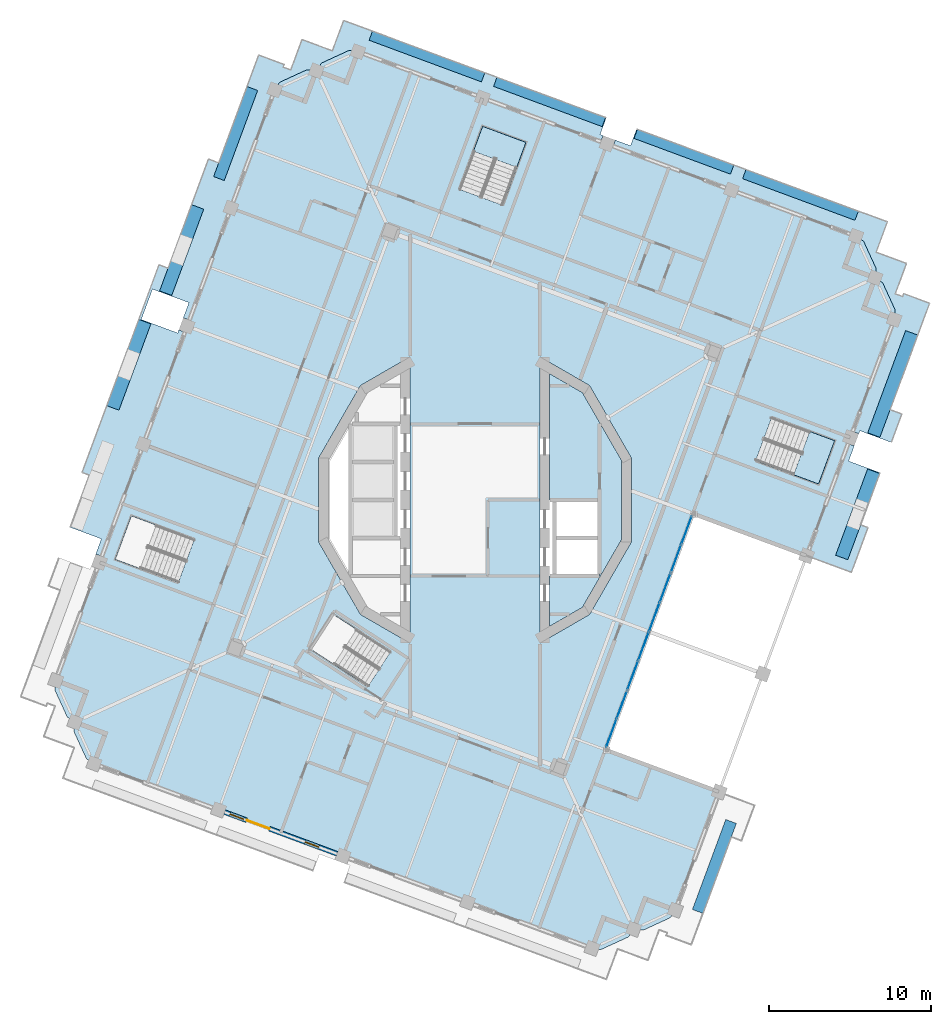
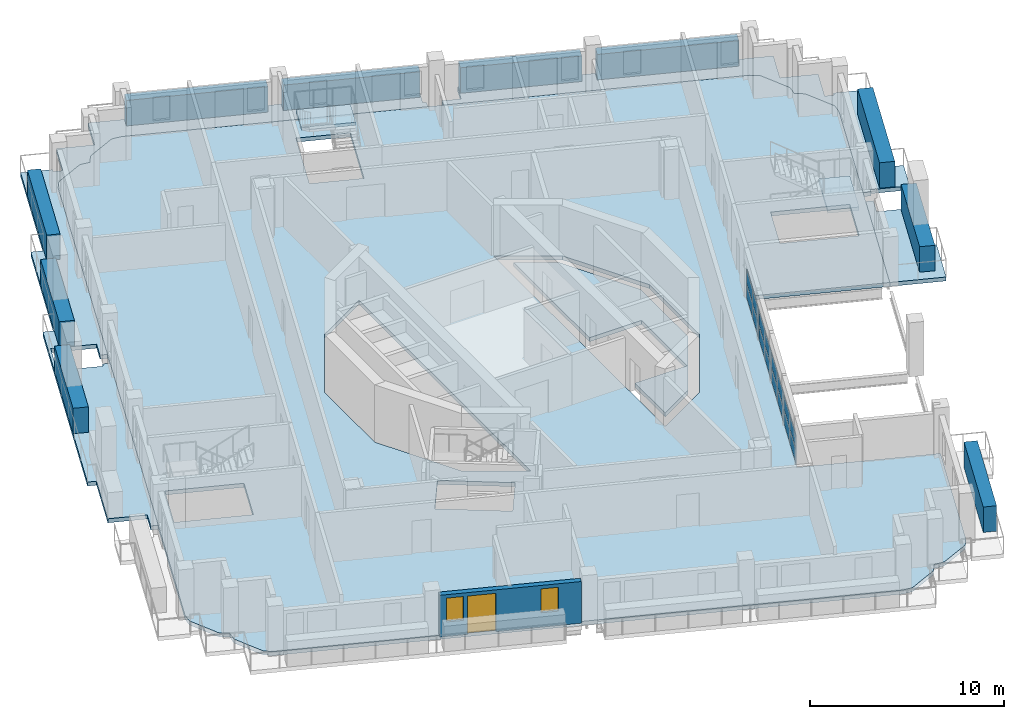
# One storey, part 4 of 19: 26 plates, 7 slabs, 2 windows, 1 door, 1 wall, 3 openings, 3 elements without a shape of their own.
"""IFC4 building model written with IfcOpenShell, lengths in metres."""

import ifcopenshell
import ifcopenshell.guid

model = None  # the IFC model being written
_history = None  # IfcOwnerHistory: only IFC2X3 demands one
_inside = {}  # id of a spatial element -> (the spatial element, [elements in it])
_under = {}  # id of a project, library or spatial element -> (it, [spatial elements below it])
_declared = {}  # id of a project -> (the project, [libraries it declares])
_typed = {}  # id of a type object -> (the type object, [elements of that type])
_made_of = {}  # id of a material, layer set ... -> (it, [elements and type objects made of it])


def new_model(schema):
    """Start an empty IFC model of exactly this schema.

    Asked for "IFC4X3", IfcOpenShell would pick the latest addendum, in which some entities
    have other attributes; the version numbers below select the first issue.
    IFC2X3 requires an IfcOwnerHistory on every rooted entity: one is made here for all.
    """
    global model, _history
    if schema == "IFC4X3":
        model = ifcopenshell.file(schema_version=(4, 3, 0, 0))
    else:
        model = ifcopenshell.file(schema=schema)
    _inside.clear()
    _under.clear()
    _declared.clear()
    _typed.clear()
    _made_of.clear()
    _history = None
    if model.schema == "IFC2X3":
        org = make("IfcOrganization", Name="unknown")
        user = make(
            "IfcPersonAndOrganization",
            ThePerson=make("IfcPerson", FamilyName="unknown"),
            TheOrganization=org,
        )
        app = make(
            "IfcApplication",
            ApplicationDeveloper=org,
            Version="unknown",
            ApplicationFullName="unknown",
            ApplicationIdentifier="unknown",
        )
        _history = make(
            "IfcOwnerHistory",
            OwningUser=user,
            OwningApplication=app,
            ChangeAction="ADDED",
            CreationDate=0,
        )
    return model


def make(cls, **values):
    """One entity of the class cls with the attributes given. An attribute that is None is left unset."""
    return model.create_entity(
        cls, **{name: value for name, value in values.items() if value is not None}
    )


def rooted(cls, **values):
    """An entity with a GlobalId (a new one), such as an element, a storey or a relation."""
    return make(cls, GlobalId=ifcopenshell.guid.new(), OwnerHistory=_history, **values)


def si_unit(unit_type, name, prefix=None):
    """IfcSIUnit, for example si_unit("LENGTHUNIT", "METRE", prefix="MILLI")."""
    return make("IfcSIUnit", UnitType=unit_type, Prefix=prefix, Name=name)


def assignment(units):
    """IfcUnitAssignment: the units of a project."""
    return None if units is None else make("IfcUnitAssignment", Units=units)


def point(xyz):
    """IfcCartesianPoint."""
    return None if xyz is None else make("IfcCartesianPoint", Coordinates=xyz)


def direction(xyz):
    """IfcDirection."""
    return None if xyz is None else make("IfcDirection", DirectionRatios=xyz)


def frame(location, z_axis=None, x_axis=None):
    """IfcAxis2Placement3D, a coordinate frame: its origin and axes. An axis left out is left unset."""
    return make(
        "IfcAxis2Placement3D",
        Location=point(location),
        Axis=direction(z_axis),
        RefDirection=direction(x_axis),
    )


def frame_2d(location, x_axis=None):
    """IfcAxis2Placement2D, a coordinate frame in the plane: its origin and x axis."""
    return make(
        "IfcAxis2Placement2D", Location=point(location), RefDirection=direction(x_axis)
    )


def origin():
    """The frame at (0, 0, 0) with its axes left unset."""
    return frame((0.0, 0.0, 0.0))


def origin_2d():
    """The frame at (0, 0) in the plane with its x axis left unset."""
    return frame_2d((0.0, 0.0))


def place(relative_to, where):
    """IfcLocalPlacement: puts the frame where relative to a parent placement (None: the world)."""
    return make(
        "IfcLocalPlacement", PlacementRelTo=relative_to, RelativePlacement=where
    )


def context(
    kind, dimensions, precision=None, world=None, true_north=None, identifier=None
):
    """IfcGeometricRepresentationContext, for example the 3D "Model" context."""
    return make(
        "IfcGeometricRepresentationContext",
        ContextIdentifier=identifier,
        ContextType=kind,
        CoordinateSpaceDimension=dimensions,
        Precision=precision,
        WorldCoordinateSystem=world,
        TrueNorth=true_north,
    )


def subcontext(parent, identifier, kind, view, scale=None):
    """IfcGeometricRepresentationSubContext, for example "Body" below "Model"."""
    return make(
        "IfcGeometricRepresentationSubContext",
        ContextIdentifier=identifier,
        ContextType=kind,
        ParentContext=parent,
        TargetScale=scale,
        TargetView=view,
    )


def project(units=None, contexts=None):
    """IfcProject with its units and contexts."""
    return rooted(
        "IfcProject",
        Name="project",
        RepresentationContexts=contexts,
        UnitsInContext=assignment(units),
    )


def spatial(cls, under=None, at=None, **own):
    """A site, building, storey or space (cls), placed at a placement, below another one or the project."""
    s = rooted(cls, ObjectPlacement=at, **own)
    if under is not None:
        _under.setdefault(under.id(), (under, []))[1].append(s)
    return s


def polyline(points):
    """IfcPolyline through the points."""
    return make("IfcPolyline", Points=[point(p) for p in points])


def profile(cls, at=None, kind="AREA", **sizes):
    """A parametric profile (cls). Its sizes go by their IFC names, for example OverallWidth=200.0."""
    return make(cls, ProfileType=kind, Position=at, **sizes)


def rectangle(**sizes):
    """IfcRectangleProfileDef."""
    return profile("IfcRectangleProfileDef", **sizes)


def outline(outer, holes=None, kind="AREA"):
    """IfcArbitraryClosedProfileDef: a profile drawn as a closed curve; with holes, ...WithVoids."""
    if holes is None:
        return make("IfcArbitraryClosedProfileDef", ProfileType=kind, OuterCurve=outer)
    return make(
        "IfcArbitraryProfileDefWithVoids",
        ProfileType=kind,
        OuterCurve=outer,
        InnerCurves=holes,
    )


def extrude(swept, where, along, depth):
    """IfcExtrudedAreaSolid: the profile swept, set in the frame where, extruded along a direction by depth."""
    return make(
        "IfcExtrudedAreaSolid",
        SweptArea=swept,
        Position=where,
        ExtrudedDirection=direction(along),
        Depth=depth,
    )


def shape(context_of_items, identifier, shape_type, items):
    """IfcShapeRepresentation: the items that make up one representation, for example the "Body"."""
    return make(
        "IfcShapeRepresentation",
        ContextOfItems=context_of_items,
        RepresentationIdentifier=identifier,
        RepresentationType=shape_type,
        Items=items,
    )


def material(Name=None, Category=None):
    """IfcMaterial."""
    return make("IfcMaterial", Name=Name, Category=Category)


def layer(
    of_material, thickness, ventilated=None, Name=None, Category=None, Priority=None
):
    """IfcMaterialLayer: one layer of a wall or slab, of a material (None: an air gap)."""
    return make(
        "IfcMaterialLayer",
        Material=of_material,
        LayerThickness=thickness,
        IsVentilated=ventilated,
        Name=Name,
        Category=Category,
        Priority=Priority,
    )


def layer_set(layers, Name=None):
    """IfcMaterialLayerSet."""
    return make("IfcMaterialLayerSet", MaterialLayers=layers, LayerSetName=Name)


def made_of(thing, what):
    """Note that an element or type object is made of a material, layer set ...; save() writes the relation."""
    if what is not None:
        _made_of.setdefault(what.id(), (what, []))[1].append(thing)
    return thing


def type_object(cls, material=None, **own):
    """A type object (cls), such as IfcWallType, which elements share."""
    return made_of(rooted(cls, **own), material)


def element(
    cls,
    number,
    at=None,
    inside=None,
    cuts=None,
    type_object=None,
    material=None,
    context=None,
    identifier="Body",
    shape_type=None,
    held_by="IfcProductDefinitionShape",
    body=None,
    shapes=None,
    **own,
):
    """One element of the class cls, such as IfcWall. Its Tag is "e" and its number.

    at: its placement. inside: the storey or other place that contains it. cuts: it is an
    opening in that element (IfcRelVoidsElement). A single representation is given by context,
    identifier, shape_type and body (its items); several are given by shapes. held_by: the class
    of the entity that holds the representations. save() writes the other relations.
    """
    e = rooted(cls, Tag="e%d" % number, ObjectPlacement=at, **own)
    if body is not None:
        shapes = [shape(context, identifier, shape_type, body)]
    if shapes is not None:
        e.Representation = make(held_by, Representations=shapes)
    if inside is not None:
        _inside.setdefault(inside.id(), (inside, []))[1].append(e)
    if cuts is not None:
        rooted(
            "IfcRelVoidsElement", RelatingBuildingElement=cuts, RelatedOpeningElement=e
        )
    if type_object is not None:
        _typed.setdefault(type_object.id(), (type_object, []))[1].append(e)
    return made_of(e, material)


def fill(opening, filler):
    """IfcRelFillsElement: the door or window that sits in an opening."""
    return rooted(
        "IfcRelFillsElement",
        RelatingOpeningElement=opening,
        RelatedBuildingElement=filler,
    )


def aggregate(whole, parts):
    """IfcRelAggregates: a whole, such as a stair, and the parts it consists of."""
    return rooted("IfcRelAggregates", RelatingObject=whole, RelatedObjects=parts)


def save(model, path):
    """Write the relations noted so far, then the file.

    IfcRelAggregates (storeys below a building ...), IfcRelContainedInSpatialStructure (elements
    in a storey), IfcRelDefinesByType, IfcRelAssociatesMaterial and IfcRelDeclares: one each for
    every whole, place, type object, material and project.
    """
    for whole, parts in _under.values():
        aggregate(whole, parts)
    for where, things in _inside.values():
        rooted(
            "IfcRelContainedInSpatialStructure",
            RelatedElements=things,
            RelatingStructure=where,
        )
    for kind, things in _typed.values():
        rooted("IfcRelDefinesByType", RelatedObjects=things, RelatingType=kind)
    for what, things in _made_of.values():
        rooted("IfcRelAssociatesMaterial", RelatedObjects=things, RelatingMaterial=what)
    for by, libraries in _declared.values():
        rooted("IfcRelDeclares", RelatingContext=by, RelatedDefinitions=libraries)
    model.write(path)


model = new_model("IFC4")

# Units and contexts
model_context = context("Model", 3, precision=1e-05, world=origin(), true_north=direction((0.0, 1.0)))
body_context = subcontext(model_context, "Body", "Model", "MODEL_VIEW")
ifc_project = project(units=[si_unit("LENGTHUNIT", "METRE"), si_unit("AREAUNIT", "SQUARE_METRE"), si_unit("VOLUMEUNIT", "CUBIC_METRE"), si_unit("PLANEANGLEUNIT", "RADIAN"), si_unit("MASSUNIT", "GRAM", prefix="KILO")], contexts=[model_context])

# Site, building, storey
site_placement = place(None, origin())
site = spatial("IfcSite", under=ifc_project, at=site_placement, CompositionType="ELEMENT")
building_placement = place(site_placement, origin())
building = spatial("IfcBuilding", under=site, at=building_placement, Name="Cantera Rosa Tower", CompositionType="ELEMENT")
storey_placement = place(building_placement, frame((0.0, 0.0, 342.10009765625)))
storey = spatial("IfcBuildingStorey", under=building, at=storey_placement, Name="L77", CompositionType="ELEMENT", Elevation=342.10009765625)

# Slabs
ifc_material_1 = material(Name="Concrete C35/45", Category="concrete")
ifc_layer_1 = layer(ifc_material_1, 0.25)
ifc_layer_set_1 = layer_set([ifc_layer_1], Name="COMPOSITE FLOOR SLAB 250 C35/45")
slab_type_1 = type_object("IfcSlabType", Name="COMPOSITE FLOOR SLAB 250 C35/45", PredefinedType="FLOOR", material=ifc_layer_set_1)
slab_1_placement = place(storey_placement, frame((0.0, 0.0, -0.25)))
element("IfcSlab", 1, at=slab_1_placement, inside=storey, type_object=slab_type_1, Name="SLAB L77 floor 2", PredefinedType="FLOOR", context=body_context, shape_type="SweptSolid", body=[
    extrude(outline(polyline([(-23.526611328125, -16.2900390625), (-23.919677734375, -16.031494140625), (-23.944091796875, -16.014892578125), (-23.966552734375, -15.99609375), (-23.987060546875, -15.974853515625), (-24.005615234375, -15.951904296875), (-24.021484375, -15.92724609375), (-24.03515625, -15.901123046875), (-24.743408203125, -14.35888671875), (-24.75439453125, -14.331787109375), (-24.7626953125, -14.303466796875), (-24.76806640625, -14.2744140625), (-24.7705078125, -14.2451171875), (-24.770263671875, -14.2158203125), (-24.76708984375, -14.186279296875), (-24.706787109375, -13.7197265625), (-25.10009765625, -13.461181640625), (-25.12451171875, -13.444580078125), (-25.14697265625, -13.42578125), (-25.16748046875, -13.404541015625), (-25.18603515625, -13.381591796875), (-25.201904296875, -13.35693359375), (-25.215576171875, -13.330810546875), (-25.923828125, -11.788818359375), (-25.934814453125, -11.76123046875), (-25.943115234375, -11.733154296875), (-25.948486328125, -11.7041015625), (-25.950927734375, -11.6748046875), (-25.95068359375, -11.6455078125), (-25.947509765625, -11.6162109375), (-25.88720703125, -11.1494140625), (-12.733154296875, 24.347412109375), (-12.370361328125, 25.32666015625), (-12.11181640625, 25.7197265625), (-12.09521484375, 25.744140625), (-12.076171875, 25.7666015625), (-12.05517578125, 25.787353515625), (-12.0322265625, 25.8056640625), (-12.007568359375, 25.82177734375), (-11.9814453125, 25.835205078125), (-10.439208984375, 26.543701171875), (-10.411865234375, 26.554443359375), (-10.383544921875, 26.562744140625), (-10.354736328125, 26.568115234375), (-10.325439453125, 26.57080078125), (-10.2958984375, 26.5703125), (-10.2666015625, 26.567138671875), (-9.800048828125, 26.507080078125), (-9.54150390625, 26.900146484375), (-9.52490234375, 26.924560546875), (-9.505859375, 26.947021484375), (-9.48486328125, 26.9677734375), (-9.4619140625, 26.986083984375), (-9.437255859375, 27.002197265625), (-9.4111328125, 27.015625), (-7.868896484375, 27.72412109375), (-7.841552734375, 27.735107421875), (-7.813232421875, 27.7431640625), (-7.784423828125, 27.74853515625), (-7.7548828125, 27.751220703125), (-7.7255859375, 27.750732421875), (-7.6962890625, 27.74755859375), (-7.2294921875, 27.6875), (-6.25048828125, 27.32470703125), (23.526611328125, 16.2900390625), (23.919677734375, 16.031494140625), (23.944091796875, 16.014892578125), (23.966552734375, 15.99609375), (23.987060546875, 15.974853515625), (24.005615234375, 15.951904296875), (24.021484375, 15.92724609375), (24.03515625, 15.901123046875), (24.743408203125, 14.35888671875), (24.75439453125, 14.331787109375), (24.7626953125, 14.303466796875), (24.76806640625, 14.2744140625), (24.7705078125, 14.2451171875), (24.770263671875, 14.2158203125), (24.76708984375, 14.186279296875), (24.706787109375, 13.7197265625), (25.10009765625, 13.461181640625), (25.12451171875, 13.444580078125), (25.14697265625, 13.42578125), (25.16748046875, 13.404541015625), (25.18603515625, 13.381591796875), (25.201904296875, 13.35693359375), (25.215576171875, 13.330810546875), (25.923828125, 11.788818359375), (25.934814453125, 11.76123046875), (25.943115234375, 11.733154296875), (25.948486328125, 11.7041015625), (25.950927734375, 11.6748046875), (25.95068359375, 11.6455078125), (25.947509765625, 11.6162109375), (25.88720703125, 11.1494140625), (20.48046875, -3.44091796875), (13.447998046875, -0.8349609375), (8.041015625, -15.42529296875), (15.07373046875, -18.031494140625), (12.733154296875, -24.347412109375), (12.370361328125, -25.32666015625), (12.11181640625, -25.7197265625), (12.09521484375, -25.744140625), (12.076171875, -25.7666015625), (12.05517578125, -25.787353515625), (12.0322265625, -25.8056640625), (12.007568359375, -25.82177734375), (11.9814453125, -25.835205078125), (10.439208984375, -26.543701171875), (10.411865234375, -26.554443359375), (10.383544921875, -26.562744140625), (10.354736328125, -26.568115234375), (10.325439453125, -26.57080078125), (10.2958984375, -26.5703125), (10.2666015625, -26.567138671875), (9.800048828125, -26.507080078125), (9.54150390625, -26.900146484375), (9.52490234375, -26.924560546875), (9.505859375, -26.947021484375), (9.48486328125, -26.9677734375), (9.4619140625, -26.986083984375), (9.437255859375, -27.002197265625), (9.4111328125, -27.015625), (7.868896484375, -27.72412109375), (7.841552734375, -27.735107421875), (7.813232421875, -27.7431640625), (7.784423828125, -27.74853515625), (7.7548828125, -27.751220703125), (7.7255859375, -27.750732421875), (7.6962890625, -27.74755859375), (7.2294921875, -27.6875), (6.25048828125, -27.32470703125), (-23.526611328125, -16.2900390625)]), holes=[polyline([(-8.581298828125, -7.1826171875), (-9.97021484375, -9.3212890625), (-6.6044921875, -11.507080078125), (-5.2158203125, -9.368408203125), (-8.581298828125, -7.1826171875)]), polyline([(-17.335693359375, -2.427490234375), (-21.2158203125, -0.989501953125), (-22.206298828125, -3.662109375), (-18.325927734375, -5.099853515625), (-17.335693359375, -2.427490234375)]), polyline([(-7.071044921875, 7.071044921875), (-9.6591796875, 2.588134765625), (-9.6591796875, -2.588134765625), (-7.071044921875, -7.071044921875), (-4.0, -8.843994140625), (-4.0, 8.843994140625), (-7.071044921875, 7.071044921875)]), polyline([(7.071044921875, -7.071044921875), (9.6591796875, -2.588134765625), (9.6591796875, 2.588134765625), (7.071044921875, 7.071044921875), (4.0, 8.843994140625), (4.0, -8.843994140625), (7.071044921875, -7.071044921875)]), polyline([(17.335693359375, 2.427490234375), (21.2158203125, 0.989501953125), (22.206298828125, 3.662109375), (18.325927734375, 5.099853515625), (17.335693359375, 2.427490234375)]), polyline([(1.70654296875, 18.203369140625), (3.14453125, 22.08349609375), (0.47216796875, 23.07373046875), (-0.9658203125, 19.193603515625), (1.70654296875, 18.203369140625)])]), origin(), (0.0, 0.0, 1.0), 0.25),
])
slab_2_placement = place(storey_placement, frame((0.0, 0.0, -0.25)))
element("IfcSlab", 2, at=slab_2_placement, inside=storey, type_object=slab_type_1, Name="SLAB L77 floor 3", PredefinedType="FLOOR", context=body_context, shape_type="SweptSolid", body=[
    extrude(outline(polyline([(4.60009765625, 0.0), (4.60009765625, 7.804931640625), (6.6318359375, 6.6318359375), (9.059326171875, 2.427490234375), (9.059326171875, -2.427490234375), (6.6318359375, -6.6318359375), (4.60009765625, -7.804931640625), (4.60009765625, -4.699951171875), (7.699951171875, -4.699951171875), (7.699951171875, -2.35009765625), (7.699951171875, 0.0), (4.60009765625, 0.0)])), origin(), (0.0, 0.0, 1.0), 0.25),
])

# Curtain wall, plates
ifc_material_2 = material(Name="Aluminium frame with clear glass", Category="aluminium")
curtain_wall_type = type_object("IfcCurtainWallType", Name="CW1 TERRACE POCKET GLAZING", PredefinedType="NOTDEFINED", material=ifc_material_2)
curtain_wall_placement = place(storey_placement, origin())
curtain_wall = element("IfcCurtainWall", 3, at=curtain_wall_placement, inside=storey, type_object=curtain_wall_type, Name="CW1 CW1", PredefinedType="NOTDEFINED")
ifc_material_3 = material(Name="Aluminium frame with clear glass", Category="aluminium")
ifc_layer_2 = layer(ifc_material_3, 0.028076171875)
ifc_layer_set_2 = layer_set([ifc_layer_2], Name="CW-PANEL POCKET")
plate_type_1 = type_object("IfcPlateType", Name="CW-PANEL POCKET", PredefinedType="CURTAIN_PANEL", material=ifc_layer_set_2)
plate_1_placement = place(storey_placement, frame((8.422119140625, -14.396728515625, 0.059814453125), z_axis=(0.0, 0.0, 1.0), x_axis=(0.347481234472, 0.93768693693, 0.0)))
plate_1 = element("IfcPlate", 4, at=plate_1_placement, type_object=plate_type_1, Name="CW1 panel 1.1", PredefinedType="CURTAIN_PANEL", context=body_context, shape_type="SweptSolid", body=[
    extrude(rectangle(XDim=1.82373046875, YDim=0.028076171875, at=origin_2d()), origin(), (0.0, 0.0, 1.0), 0.8740234375),
])
plate_2_placement = place(storey_placement, frame((8.422119140625, -14.396728515625, 0.993896484375), z_axis=(0.0, 0.0, 1.0), x_axis=(0.347481234472, 0.93768693693, 0.0)))
plate_2 = element("IfcPlate", 5, at=plate_2_placement, type_object=plate_type_1, Name="CW1 panel 1.2", PredefinedType="CURTAIN_PANEL", context=body_context, shape_type="SweptSolid", body=[
    extrude(rectangle(XDim=1.82373046875, YDim=0.028076171875, at=origin_2d()), origin(), (0.0, 0.0, 1.0), 0.8740234375),
])
plate_3_placement = place(storey_placement, frame((9.08203125, -12.616455078125, 0.059814453125), z_axis=(0.0, 0.0, 1.0), x_axis=(0.347481234472, 0.93768693693, 0.0)))
plate_3 = element("IfcPlate", 6, at=plate_3_placement, type_object=plate_type_1, Name="CW1 panel 2.1", PredefinedType="CURTAIN_PANEL", context=body_context, shape_type="SweptSolid", body=[
    extrude(rectangle(XDim=1.853759765625, YDim=0.028076171875, at=origin_2d()), origin(), (0.0, 0.0, 1.0), 0.8740234375),
])
plate_4_placement = place(storey_placement, frame((9.08203125, -12.616455078125, 0.993896484375), z_axis=(0.0, 0.0, 1.0), x_axis=(0.347481234472, 0.93768693693, 0.0)))
plate_4 = element("IfcPlate", 7, at=plate_4_placement, type_object=plate_type_1, Name="CW1 panel 2.2", PredefinedType="CURTAIN_PANEL", context=body_context, shape_type="SweptSolid", body=[
    extrude(rectangle(XDim=1.853759765625, YDim=0.028076171875, at=origin_2d()), origin(), (0.0, 0.0, 1.0), 0.8740234375),
])
plate_5_placement = place(storey_placement, frame((9.7470703125, -10.82177734375, 0.059814453125), z_axis=(0.0, 0.0, 1.0), x_axis=(0.347481234472, 0.93768693693, 0.0)))
plate_5 = element("IfcPlate", 8, at=plate_5_placement, type_object=plate_type_1, Name="CW1 panel 3.1", PredefinedType="CURTAIN_PANEL", context=body_context, shape_type="SweptSolid", body=[
    extrude(rectangle(XDim=1.853759765625, YDim=0.028076171875, at=origin_2d()), origin(), (0.0, 0.0, 1.0), 0.8740234375),
])
plate_6_placement = place(storey_placement, frame((9.7470703125, -10.82177734375, 0.993896484375), z_axis=(0.0, 0.0, 1.0), x_axis=(0.347481234472, 0.93768693693, 0.0)))
plate_6 = element("IfcPlate", 9, at=plate_6_placement, type_object=plate_type_1, Name="CW1 panel 3.2", PredefinedType="CURTAIN_PANEL", context=body_context, shape_type="SweptSolid", body=[
    extrude(rectangle(XDim=1.853759765625, YDim=0.028076171875, at=origin_2d()), origin(), (0.0, 0.0, 1.0), 0.8740234375),
])
plate_7_placement = place(storey_placement, frame((10.411865234375, -9.02734375, 0.059814453125), z_axis=(0.0, 0.0, 1.0), x_axis=(0.347481234472, 0.93768693693, 0.0)))
plate_7 = element("IfcPlate", 10, at=plate_7_placement, type_object=plate_type_1, Name="CW1 panel 4.1", PredefinedType="CURTAIN_PANEL", context=body_context, shape_type="SweptSolid", body=[
    extrude(rectangle(XDim=1.853759765625, YDim=0.028076171875, at=origin_2d()), origin(), (0.0, 0.0, 1.0), 0.8740234375),
])
plate_8_placement = place(storey_placement, frame((10.411865234375, -9.02734375, 0.993896484375), z_axis=(0.0, 0.0, 1.0), x_axis=(0.347481234472, 0.93768693693, 0.0)))
plate_8 = element("IfcPlate", 11, at=plate_8_placement, type_object=plate_type_1, Name="CW1 panel 4.2", PredefinedType="CURTAIN_PANEL", context=body_context, shape_type="SweptSolid", body=[
    extrude(rectangle(XDim=1.853759765625, YDim=0.028076171875, at=origin_2d()), origin(), (0.0, 0.0, 1.0), 0.8740234375),
])
plate_9_placement = place(storey_placement, frame((11.076904296875, -7.23291015625, 0.059814453125), z_axis=(0.0, 0.0, 1.0), x_axis=(0.347481234472, 0.93768693693, 0.0)))
plate_9 = element("IfcPlate", 12, at=plate_9_placement, type_object=plate_type_1, Name="CW1 panel 5.1", PredefinedType="CURTAIN_PANEL", context=body_context, shape_type="SweptSolid", body=[
    extrude(rectangle(XDim=1.853759765625, YDim=0.028076171875, at=origin_2d()), origin(), (0.0, 0.0, 1.0), 0.8740234375),
])
plate_10_placement = place(storey_placement, frame((11.076904296875, -7.23291015625, 0.993896484375), z_axis=(0.0, 0.0, 1.0), x_axis=(0.347481234472, 0.93768693693, 0.0)))
plate_10 = element("IfcPlate", 13, at=plate_10_placement, type_object=plate_type_1, Name="CW1 panel 5.2", PredefinedType="CURTAIN_PANEL", context=body_context, shape_type="SweptSolid", body=[
    extrude(rectangle(XDim=1.853759765625, YDim=0.028076171875, at=origin_2d()), origin(), (0.0, 0.0, 1.0), 0.8740234375),
])
plate_11_placement = place(storey_placement, frame((11.741943359375, -5.4384765625, 0.059814453125), z_axis=(0.0, 0.0, 1.0), x_axis=(0.347481234472, 0.93768693693, 0.0)))
plate_11 = element("IfcPlate", 14, at=plate_11_placement, type_object=plate_type_1, Name="CW1 panel 6.1", PredefinedType="CURTAIN_PANEL", context=body_context, shape_type="SweptSolid", body=[
    extrude(rectangle(XDim=1.853759765625, YDim=0.028076171875, at=origin_2d()), origin(), (0.0, 0.0, 1.0), 0.8740234375),
])
plate_12_placement = place(storey_placement, frame((11.741943359375, -5.4384765625, 0.993896484375), z_axis=(0.0, 0.0, 1.0), x_axis=(0.347481234472, 0.93768693693, 0.0)))
plate_12 = element("IfcPlate", 15, at=plate_12_placement, type_object=plate_type_1, Name="CW1 panel 6.2", PredefinedType="CURTAIN_PANEL", context=body_context, shape_type="SweptSolid", body=[
    extrude(rectangle(XDim=1.853759765625, YDim=0.028076171875, at=origin_2d()), origin(), (0.0, 0.0, 1.0), 0.8740234375),
])
plate_13_placement = place(storey_placement, frame((12.406982421875, -3.643798828125, 0.059814453125), z_axis=(0.0, 0.0, 1.0), x_axis=(0.347481234472, 0.93768693693, 0.0)))
plate_13 = element("IfcPlate", 16, at=plate_13_placement, type_object=plate_type_1, Name="CW1 panel 7.1", PredefinedType="CURTAIN_PANEL", context=body_context, shape_type="SweptSolid", body=[
    extrude(rectangle(XDim=1.853759765625, YDim=0.028076171875, at=origin_2d()), origin(), (0.0, 0.0, 1.0), 0.8740234375),
])
plate_14_placement = place(storey_placement, frame((12.406982421875, -3.643798828125, 0.993896484375), z_axis=(0.0, 0.0, 1.0), x_axis=(0.347481234472, 0.93768693693, 0.0)))
plate_14 = element("IfcPlate", 17, at=plate_14_placement, type_object=plate_type_1, Name="CW1 panel 7.2", PredefinedType="CURTAIN_PANEL", context=body_context, shape_type="SweptSolid", body=[
    extrude(rectangle(XDim=1.853759765625, YDim=0.028076171875, at=origin_2d()), origin(), (0.0, 0.0, 1.0), 0.8740234375),
])
plate_15_placement = place(storey_placement, frame((13.066650390625, -1.863525390625, 0.059814453125), z_axis=(0.0, 0.0, 1.0), x_axis=(0.347481234472, 0.93768693693, 0.0)))
plate_15 = element("IfcPlate", 18, at=plate_15_placement, type_object=plate_type_1, Name="CW1 panel 8.1", PredefinedType="CURTAIN_PANEL", context=body_context, shape_type="SweptSolid", body=[
    extrude(rectangle(XDim=1.82373046875, YDim=0.028076171875, at=origin_2d()), origin(), (0.0, 0.0, 1.0), 0.8740234375),
])
plate_16_placement = place(storey_placement, frame((13.066650390625, -1.863525390625, 0.993896484375), z_axis=(0.0, 0.0, 1.0), x_axis=(0.347481234472, 0.93768693693, 0.0)))
plate_16 = element("IfcPlate", 19, at=plate_16_placement, type_object=plate_type_1, Name="CW1 panel 8.2", PredefinedType="CURTAIN_PANEL", context=body_context, shape_type="SweptSolid", body=[
    extrude(rectangle(XDim=1.82373046875, YDim=0.028076171875, at=origin_2d()), origin(), (0.0, 0.0, 1.0), 0.8740234375),
])
aggregate(curtain_wall, [plate_1, plate_2, plate_3, plate_4, plate_5, plate_6, plate_7, plate_8, plate_9, plate_10, plate_11, plate_12, plate_13, plate_14, plate_15, plate_16])

# Slabs
ifc_material_4 = material(Name="Concrete C35/45", Category="concrete")
ifc_layer_3 = layer(ifc_material_4, 0.25)
ifc_layer_set_3 = layer_set([ifc_layer_3], Name="LOGGIA SLAB 250 C35/45")
slab_type_2 = type_object("IfcSlabType", Name="LOGGIA SLAB 250 C35/45", PredefinedType="FLOOR", material=ifc_layer_set_3)
slab_3_placement = place(storey_placement, frame((0.0, 0.0, -0.25)))
element("IfcSlab", 20, at=slab_3_placement, inside=storey, type_object=slab_type_2, Name="LOGGIA SLAB L77 2", PredefinedType="FLOOR", context=body_context, shape_type="SweptSolid", body=[
    extrude(outline(polyline([(-19.5166015625, 14.524169921875), (-18.9580078125, 14.317138671875), (-16.461669921875, 21.053466796875), (-15.828369140625, 20.81884765625), (-13.359619140625, 27.480712890625), (-11.787841796875, 26.898193359375), (-11.84912109375, 26.733154296875), (-11.380126953125, 26.559326171875), (-11.20654296875, 27.0283203125), (-10.685302734375, 28.434814453125), (-9.27880859375, 27.91357421875), (-8.809814453125, 27.73974609375), (-8.63623046875, 28.208740234375), (-8.114990234375, 29.615234375), (-6.70849609375, 29.093994140625), (-0.42578125, 26.765869140625), (2.38720703125, 25.723388671875), (7.26318359375, 23.91650390625), (8.10693359375, 23.603759765625), (7.724853515625, 22.572265625), (7.912353515625, 22.502685546875), (7.7734375, 22.127685546875), (-6.25048828125, 27.32470703125), (-7.2294921875, 27.6875), (-7.6962890625, 27.74755859375), (-7.7255859375, 27.750732421875), (-7.7548828125, 27.751220703125), (-7.784423828125, 27.74853515625), (-7.813232421875, 27.7431640625), (-7.841552734375, 27.735107421875), (-7.868896484375, 27.72412109375), (-9.4111328125, 27.015625), (-9.437255859375, 27.002197265625), (-9.4619140625, 26.986083984375), (-9.48486328125, 26.9677734375), (-9.505859375, 26.947021484375), (-9.52490234375, 26.924560546875), (-9.54150390625, 26.900146484375), (-9.800048828125, 26.507080078125), (-10.2666015625, 26.567138671875), (-10.2958984375, 26.5703125), (-10.325439453125, 26.57080078125), (-10.354736328125, 26.568115234375), (-10.383544921875, 26.562744140625), (-10.411865234375, 26.554443359375), (-10.439208984375, 26.543701171875), (-11.9814453125, 25.835205078125), (-12.007568359375, 25.82177734375), (-12.0322265625, 25.8056640625), (-12.05517578125, 25.787353515625), (-12.076171875, 25.7666015625), (-12.09521484375, 25.744140625), (-12.11181640625, 25.7197265625), (-12.370361328125, 25.32666015625), (-12.733154296875, 24.347412109375), (-17.63818359375, 11.111328125), (-18.01318359375, 11.250244140625), (-17.665771484375, 12.18798828125), (-19.916259765625, 13.02197265625), (-20.611083984375, 11.146484375), (-18.360595703125, 10.3125), (-18.291259765625, 10.5), (-17.916015625, 10.361083984375), (-23.044921875, -3.47900390625), (-23.419921875, -3.340087890625), (-23.072509765625, -2.40234375), (-25.012451171875, -1.68359375), (-23.819580078125, 1.53515625), (-24.2685546875, 1.701416015625), (-19.5166015625, 14.524169921875)])), origin(), (0.0, 0.0, 1.0), 0.25),
])
slab_4_placement = place(storey_placement, frame((0.0, 0.0, -0.25)))
element("IfcSlab", 21, at=slab_4_placement, inside=storey, type_object=slab_type_2, Name="LOGGIA SLAB L77 4", PredefinedType="FLOOR", context=body_context, shape_type="SweptSolid", body=[
    extrude(outline(polyline([(17.76513671875, 20.024658203125), (24.047607421875, 17.696533203125), (24.050537109375, 17.7041015625), (25.46435546875, 17.179931640625), (24.76953125, 15.3046875), (25.23095703125, 15.1337890625), (26.644775390625, 14.609619140625), (26.120849609375, 13.19580078125), (25.949951171875, 12.734375), (26.411376953125, 12.563232421875), (26.47802734375, 12.743408203125), (28.072021484375, 12.152587890625), (25.6357421875, 5.578369140625), (26.356689453125, 5.311279296875), (25.707275390625, 3.558837890625), (23.767578125, 4.27783203125), (23.697998046875, 4.09033203125), (23.322998046875, 4.229248046875), (25.88720703125, 11.1494140625), (25.947509765625, 11.6162109375), (25.95068359375, 11.6455078125), (25.950927734375, 11.6748046875), (25.948486328125, 11.7041015625), (25.943115234375, 11.733154296875), (25.934814453125, 11.76123046875), (25.923828125, 11.788818359375), (25.215576171875, 13.330810546875), (25.201904296875, 13.35693359375), (25.18603515625, 13.381591796875), (25.16748046875, 13.404541015625), (25.14697265625, 13.42578125), (25.12451171875, 13.444580078125), (25.10009765625, 13.461181640625), (24.706787109375, 13.7197265625), (24.76708984375, 14.186279296875), (24.770263671875, 14.2158203125), (24.7705078125, 14.2451171875), (24.76806640625, 14.2744140625), (24.7626953125, 14.303466796875), (24.75439453125, 14.331787109375), (24.743408203125, 14.35888671875), (24.03515625, 15.901123046875), (24.021484375, 15.92724609375), (24.005615234375, 15.951904296875), (23.987060546875, 15.974853515625), (23.966552734375, 15.99609375), (23.944091796875, 16.014892578125), (23.919677734375, 16.031494140625), (23.526611328125, 16.2900390625), (8.5234375, 21.849853515625), (8.66259765625, 22.224853515625), (9.60009765625, 21.87744140625), (9.982421875, 22.90869140625), (10.076171875, 22.8740234375), (14.9521484375, 21.067138671875), (17.76513671875, 20.024658203125)])), origin(), (0.0, 0.0, 1.0), 0.25),
])
slab_5_placement = place(storey_placement, frame((0.0, 0.0, -0.25)))
element("IfcSlab", 22, at=slab_5_placement, inside=storey, type_object=slab_type_2, Name="LOGGIA SLAB L77 5", PredefinedType="FLOOR", context=body_context, shape_type="SweptSolid", body=[
    extrude(outline(polyline([(23.419921875, 3.340087890625), (23.072509765625, 2.40234375), (25.012451171875, 1.68359375), (23.819580078125, -1.53515625), (24.2685546875, -1.701416015625), (23.244384765625, -4.465087890625), (20.48046875, -3.44091796875), (23.044921875, 3.47900390625), (23.419921875, 3.340087890625)])), origin(), (0.0, 0.0, 1.0), 0.25),
])

# Plates
ifc_material_5 = material(Name="Cantera stone planter with soil", Category="masonry")
plate_type_2 = type_object("IfcPlateType", Name="PLANTER 600", PredefinedType="USERDEFINED", material=ifc_material_5)
plate_17_placement = place(storey_placement, frame((20.098876953125, 18.83984375, -0.000244140625), z_axis=(0.0, 0.0, 1.0), x_axis=(-0.937686936924, 0.347481234489, 0.0)))
element("IfcPlate", 23, at=plate_17_placement, inside=storey, type_object=plate_type_2, Name="PLANTER L77-01", ObjectType="PLANTER", PredefinedType="USERDEFINED", context=body_context, shape_type="SweptSolid", body=[
    extrude(rectangle(XDim=7.39990234375, YDim=0.60009765625, at=origin_2d()), origin(), (0.0, 0.0, 1.0), 1.60009765625),
])
plate_18_placement = place(storey_placement, frame((12.902099609375, 21.5068359375, -0.000244140625), z_axis=(0.0, 0.0, 1.0), x_axis=(-0.937686936924, 0.347481234489, 0.0)))
element("IfcPlate", 24, at=plate_18_placement, inside=storey, type_object=plate_type_2, Name="PLANTER L77-02", ObjectType="PLANTER", PredefinedType="USERDEFINED", context=body_context, shape_type="SweptSolid", body=[
    extrude(rectangle(XDim=6.35009765625, YDim=0.60009765625, at=origin_2d()), origin(), (0.0, 0.0, 1.0), 1.60009765625),
])
plate_19_placement = place(storey_placement, frame((4.603759765625, 24.58203125, -0.000244140625), z_axis=(0.0, 0.0, 1.0), x_axis=(-0.937686936924, 0.347481234489, 0.0)))
element("IfcPlate", 25, at=plate_19_placement, inside=storey, type_object=plate_type_2, Name="PLANTER L77-03", ObjectType="PLANTER", PredefinedType="USERDEFINED", context=body_context, shape_type="SweptSolid", body=[
    extrude(rectangle(XDim=7.14990234375, YDim=0.60009765625, at=origin_2d()), origin(), (0.0, 0.0, 1.0), 1.60009765625),
])
plate_20_placement = place(storey_placement, frame((-2.968017578125, 27.387939453125, -0.000244140625), z_axis=(0.0, 0.0, 1.0), x_axis=(-0.937686936924, 0.347481234489, 0.0)))
element("IfcPlate", 26, at=plate_20_placement, inside=storey, type_object=plate_type_2, Name="PLANTER L77-04", ObjectType="PLANTER", PredefinedType="USERDEFINED", context=body_context, shape_type="SweptSolid", body=[
    extrude(rectangle(XDim=7.39990234375, YDim=0.60009765625, at=origin_2d()), origin(), (0.0, 0.0, 1.0), 1.60009765625),
])
ifc_material_6 = material(Name="Cantera stone planter with soil", Category="masonry")
plate_type_3 = type_object("IfcPlateType", Name="PLANTER 700", PredefinedType="USERDEFINED", material=ifc_material_6)
for number, where, z_axis, x_axis, name in (
    (27, (-14.783203125, 22.632080078125, -0.000244140625), (0.0, 0.0, 1.0), (-0.347481234489, -0.937686936924, 0.0), "PLANTER L77-05"),
    (28, (14.783203125, -22.632080078125, -0.000244140625), (0.0, 0.0, 1.0), (0.347481234489, 0.937686936924, 0.0), "PLANTER L77-14"),
):
    element("IfcPlate", number, at=place(storey_placement, frame(where, z_axis=z_axis, x_axis=x_axis)), inside=storey, type_object=plate_type_3, Name=name, ObjectType="PLANTER", PredefinedType="USERDEFINED", context=body_context, shape_type="SweptSolid", body=[
        extrude(rectangle(XDim=5.929931640625, YDim=0.699951171875, at=origin_2d()), origin(), (0.0, 0.0, 1.0), 1.60009765625),
    ])
ifc_material_7 = material(Name="Cantera stone planter with soil", Category="masonry")
plate_type_4 = type_object("IfcPlateType", Name="PLANTER 800", PredefinedType="USERDEFINED", material=ifc_material_7)
for number, where, z_axis, x_axis, name in (
    (29, (-18.1162109375, 15.43701171875, -0.000244140625), (0.0, 0.0, 1.0), (-0.347481234489, -0.937686936924, 0.0), "PLANTER L77-06"),
    (30, (-21.37841796875, 8.348876953125, -0.000244140625), (0.0, 0.0, 1.0), (-0.347481234489, -0.937686936924, 0.0), "PLANTER L77-07"),
    (31, (23.633056640625, -0.887451171875, -0.000244140625), (0.0, 0.0, 1.0), (0.347481234489, 0.937686936924, 0.0), "PLANTER L77-17"),
):
    element("IfcPlate", number, at=place(storey_placement, frame(where, z_axis=z_axis, x_axis=x_axis)), inside=storey, type_object=plate_type_4, Name=name, ObjectType="PLANTER", PredefinedType="USERDEFINED", context=body_context, shape_type="SweptSolid", body=[
        extrude(rectangle(XDim=5.679931640625, YDim=0.800048828125, at=origin_2d()), origin(), (0.0, 0.0, 1.0), 1.60009765625),
    ])
plate_21_placement = place(storey_placement, frame((25.798095703125, 7.167236328125, -0.000244140625), z_axis=(0.0, 0.0, 1.0), x_axis=(0.347481234489, 0.937686936924, 0.0)))
element("IfcPlate", 32, at=plate_21_placement, inside=storey, type_object=plate_type_4, Name="PLANTER L77-18", ObjectType="PLANTER", PredefinedType="USERDEFINED", context=body_context, shape_type="SweptSolid", body=[
    extrude(rectangle(XDim=6.72998046875, YDim=0.800048828125, at=origin_2d()), origin(), (0.0, 0.0, 1.0), 1.60009765625),
])

# Stair, slab
ifc_material_8 = material(Name="Concrete C35/45", Category="concrete")
stair_type = type_object("IfcStairType", Name="EXIT STAIR 1350 DOGLEG", PredefinedType="HALF_TURN_STAIR", material=ifc_material_8)
stair_1_placement = place(storey_placement, origin())
stair_1 = element("IfcStair", 33, at=stair_1_placement, inside=storey, type_object=stair_type, Name="L77 ST-61", PredefinedType="HALF_TURN_STAIR")
ifc_material_9 = material(Name="Concrete C35/45", Category="concrete")
ifc_layer_4 = layer(ifc_material_9, 0.199951171875)
ifc_layer_set_4 = layer_set([ifc_layer_4], Name="STAIR LANDING 200")
slab_type_3 = type_object("IfcSlabType", Name="STAIR LANDING 200", PredefinedType="LANDING", material=ifc_layer_set_4)
slab_6_placement = place(storey_placement, frame((0.0, 0.0, 1.599853515625)))
slab_6 = element("IfcSlab", 34, at=slab_6_placement, type_object=slab_type_3, Name="ST-61 landing 1", PredefinedType="LANDING", context=body_context, shape_type="SweptSolid", body=[
    extrude(outline(polyline([(19.67626953125, 1.56005859375), (21.2158203125, 0.989501953125), (22.206298828125, 3.661865234375), (20.66650390625, 4.232421875), (19.67626953125, 1.56005859375)])), origin(), (0.0, 0.0, 1.0), 0.199951171875),
])
aggregate(stair_1, [slab_6])

stair_2_placement = place(storey_placement, origin())
stair_2 = element("IfcStair", 35, at=stair_2_placement, inside=storey, type_object=stair_type, Name="L77 ST-62", PredefinedType="HALF_TURN_STAIR")
slab_7_placement = place(storey_placement, frame((0.0, 0.0, 1.599853515625)))
slab_7 = element("IfcSlab", 36, at=slab_7_placement, type_object=slab_type_3, Name="ST-62 landing 1", PredefinedType="LANDING", context=body_context, shape_type="SweptSolid", body=[
    extrude(outline(polyline([(2.573974609375, 20.543701171875), (3.14453125, 22.08349609375), (0.47216796875, 23.07373046875), (-0.098388671875, 21.5341796875), (2.573974609375, 20.543701171875)])), origin(), (0.0, 0.0, 1.0), 0.199951171875),
])
aggregate(stair_2, [slab_7])

# Wall, openings, windows, door
ifc_material_10 = material(Name="Hollow clay masonry with cantera stone cladding", Category="masonry")
ifc_layer_5 = layer(ifc_material_10, 0.300048828125)
ifc_layer_set_5 = layer_set([ifc_layer_5], Name="EW-LOGGIA 300 H2620")
wall_type = type_object("IfcWallType", Name="EW-LOGGIA 300 H2620", PredefinedType="SOLIDWALL", material=ifc_layer_set_5)
wall_placement = place(storey_placement, frame((-15.46240234375, -19.2783203125, 0.0), z_axis=(0.0, 0.0, 1.0), x_axis=(0.937680690562, -0.34749808999, 0.0)))
wall = element("IfcWall", 37, at=wall_placement, inside=storey, type_object=wall_type, Name="EN-L77-W15", PredefinedType="SOLIDWALL", context=body_context, shape_type="SweptSolid", body=[
    extrude(rectangle(XDim=7.400146484375, YDim=0.300048828125, at=frame_2d((3.7001953125, 0.0))), origin(), (0.0, 0.0, 1.0), 2.619873046875),
])
opening_1_placement = place(wall_placement, frame((0.35009765625, 0.0, 0.89990234375)))
opening_1 = element("IfcOpeningElement", 38, at=opening_1_placement, cuts=wall, Name="Opening L77-W31", PredefinedType="OPENING", context=body_context, shape_type="SweptSolid", body=[
    extrude(rectangle(XDim=0.89990234375, YDim=1.5, at=frame_2d((0.449951171875, 0.75))), frame((0.0, 0.159912109375, 0.0), z_axis=(0.0, -1.0, 0.0), x_axis=(1.0, 0.0, 0.0)), (0.0, 0.0, 1.0), 0.320068359375),
])
opening_2_placement = place(wall_placement, frame((1.449951171875, 0.0, 0.0)))
opening_2 = element("IfcOpeningElement", 39, at=opening_2_placement, cuts=wall, Name="Opening L77-TD32", PredefinedType="OPENING", context=body_context, shape_type="SweptSolid", body=[
    extrude(rectangle(XDim=1.5, YDim=2.39990234375, at=frame_2d((0.75, 1.199951171875))), frame((0.0, 0.159912109375, 0.0), z_axis=(0.0, -1.0, 0.0), x_axis=(1.0, 0.0, 0.0)), (0.0, 0.0, 1.0), 0.320068359375),
])
opening_3_placement = place(wall_placement, frame((5.300048828125, 0.0, 0.89990234375)))
opening_3 = element("IfcOpeningElement", 40, at=opening_3_placement, cuts=wall, Name="Opening L77-W33", PredefinedType="OPENING", context=body_context, shape_type="SweptSolid", body=[
    extrude(rectangle(XDim=0.89990234375, YDim=1.5, at=frame_2d((0.449951171875, 0.75))), frame((0.0, 0.159912109375, 0.0), z_axis=(0.0, -1.0, 0.0), x_axis=(1.0, 0.0, 0.0)), (0.0, 0.0, 1.0), 0.320068359375),
])
ifc_material_11 = material(Name="Aluminium frame with clear glass", Category="aluminium")
window_type = type_object("IfcWindowType", Name="Residential window 900x1500", PartitioningType="SINGLE_PANEL", PredefinedType="WINDOW", material=ifc_material_11)
window_1_placement = place(opening_1_placement, origin())
window_1 = element("IfcWindow", 41, at=window_1_placement, inside=storey, type_object=window_type, Name="WINDOW L77-W31", OverallHeight=1.5, OverallWidth=0.89990234375, PartitioningType="SINGLE_PANEL", PredefinedType="WINDOW", context=body_context, shape_type="SweptSolid", body=[
    extrude(rectangle(XDim=0.89990234375, YDim=1.5, at=frame_2d((0.449951171875, 0.75))), frame((0.0, 0.030029296875, 0.0), z_axis=(0.0, -1.0, 0.0), x_axis=(1.0, 0.0, 0.0)), (0.0, 0.0, 1.0), 0.06005859375),
])
fill(opening_1, window_1)
window_2_placement = place(opening_3_placement, origin())
window_2 = element("IfcWindow", 42, at=window_2_placement, inside=storey, type_object=window_type, Name="WINDOW L77-W33", OverallHeight=1.5, OverallWidth=0.89990234375, PartitioningType="SINGLE_PANEL", PredefinedType="WINDOW", context=body_context, shape_type="SweptSolid", body=[
    extrude(rectangle(XDim=0.89990234375, YDim=1.5, at=frame_2d((0.449951171875, 0.75))), frame((0.0, 0.030029296875, 0.0), z_axis=(0.0, -1.0, 0.0), x_axis=(1.0, 0.0, 0.0)), (0.0, 0.0, 1.0), 0.06005859375),
])
fill(opening_3, window_2)
ifc_material_12 = material(Name="Aluminium frame with clear glass", Category="aluminium")
door_type = type_object("IfcDoorType", Name="TD-R 1500x2400", OperationType="NOTDEFINED", PredefinedType="DOOR", material=ifc_material_12)
door_placement = place(opening_2_placement, origin())
door = element("IfcDoor", 43, at=door_placement, inside=storey, type_object=door_type, Name="LOGGIA DOOR L77-TD32", OperationType="SLIDING_TO_LEFT", OverallHeight=2.39990234375, OverallWidth=1.5, PredefinedType="DOOR", context=body_context, shape_type="SweptSolid", body=[
    extrude(rectangle(XDim=1.5, YDim=2.39990234375, at=frame_2d((0.75, 1.199951171875))), frame((0.0, 0.02490234375, 0.0), z_axis=(0.0, -1.0, 0.0), x_axis=(1.0, 0.0, 0.0)), (0.0, 0.0, 1.0), 0.050048828125),
])
fill(opening_2, door)

save(model, "model.ifc")
